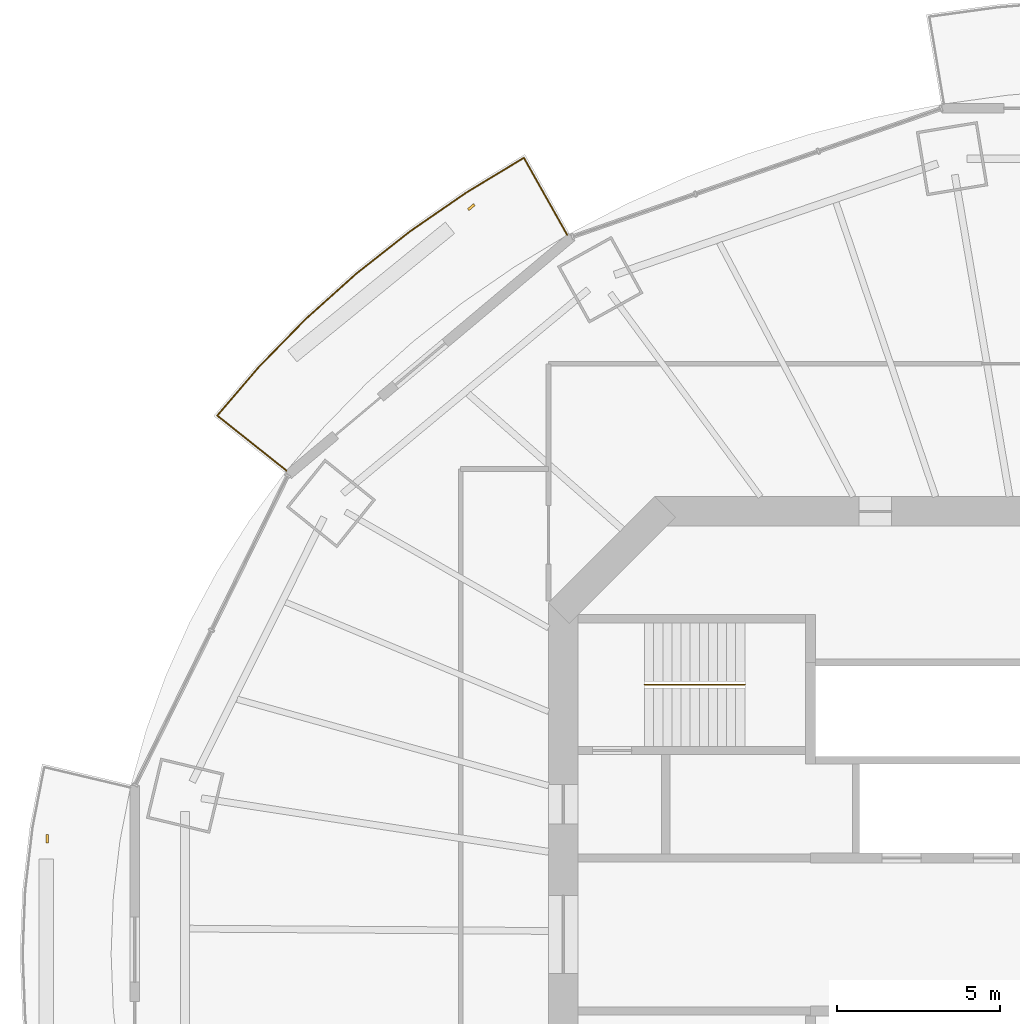
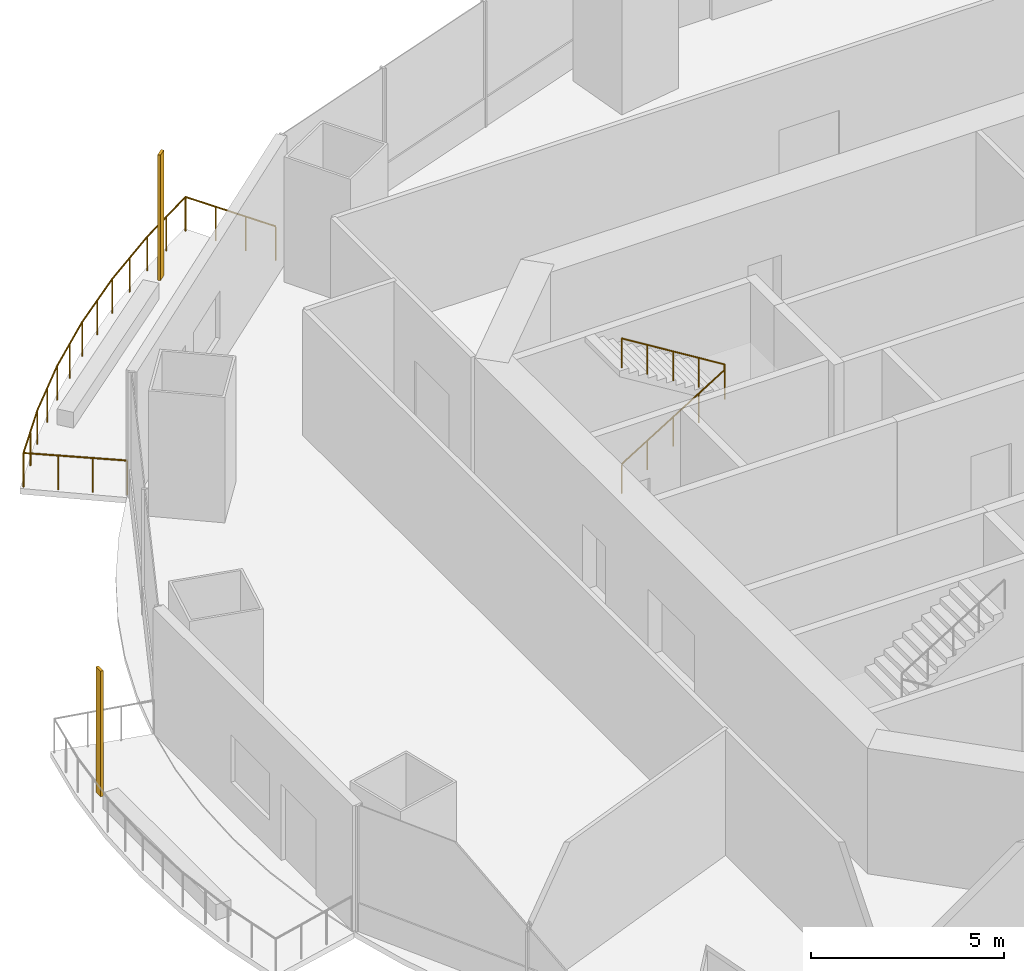
# One storey, part 18 of 21: 2 railings, 2 shading devices.
"""IFC4 building model written with IfcOpenShell, lengths in metres."""

from ifc_helpers import new_model, si_unit, direction, frame, origin, origin_2d, place, context, subcontext, project, spatial, rectangle, circle, extrude, material, material_profile, profile_set, type_object, element, save


model = new_model("IFC4")

# Units and contexts
model_context = context("Model", 3, precision=1e-05, world=origin(), true_north=direction((0.0, 1.0)))
body_context = subcontext(model_context, "Body", "Model", "MODEL_VIEW")
ifc_project = project(units=[si_unit("LENGTHUNIT", "METRE"), si_unit("AREAUNIT", "SQUARE_METRE"), si_unit("VOLUMEUNIT", "CUBIC_METRE"), si_unit("PLANEANGLEUNIT", "RADIAN"), si_unit("MASSUNIT", "GRAM", prefix="KILO")], contexts=[model_context])

# Site, building, storey
site_placement = place(None, origin())
site = spatial("IfcSite", under=ifc_project, at=site_placement, CompositionType="ELEMENT")
building_placement = place(site_placement, origin())
building = spatial("IfcBuilding", under=site, at=building_placement, Name="Marenthal Gate Tower", CompositionType="ELEMENT")
storey_placement = place(building_placement, frame((0.0, 0.0, 202.550048828125)))
storey = spatial("IfcBuildingStorey", under=building, at=storey_placement, Name="L44", CompositionType="ELEMENT", Elevation=202.550048828125)

# Railings
ifc_material_1 = material(Name="Stainless steel", Category="steel")
railing_type_1 = type_object("IfcRailingType", Name="Balcony guard 1100", PredefinedType="GUARDRAIL", material=ifc_material_1)
railing_1_placement = place(storey_placement, frame((-24.5009765625, 14.2490234375, 0.0)))
element("IfcRailing", 1, at=railing_1_placement, inside=storey, type_object=railing_type_1, Name="Balcony guard L44 bay 6", PredefinedType="GUARDRAIL", context=body_context, shape_type="SweptSolid", body=[
    extrude(circle(Radius=0.02392578125, at=origin_2d()), frame((0.0, 0.0, 1.076171875), z_axis=(-0.782732861269, 0.622183779773, -0.01471774699), x_axis=(-0.622251176983, -0.782817649739, 0.0)), (0.0, 0.0, 1.0), 2.720458984375),
    extrude(circle(Radius=0.02392578125, at=origin_2d()), frame((-2.12939453125, 1.692626953125, 1.0361328125), z_axis=(0.650106163754, 0.759843389028, 0.0), x_axis=(-0.759843389028, 0.650106163754, 0.0)), (0.0, 0.0, 1.0), 1.966796875),
    extrude(circle(Radius=0.02392578125, at=origin_2d()), frame((-0.850830078125, 3.18701171875, 1.0361328125), z_axis=(0.698897192243, 0.715222143585, 0.0), x_axis=(-0.715222143585, 0.698897192243, 0.0)), (0.0, 0.0, 1.0), 2.063720703125),
    extrude(circle(Radius=0.02392578125, at=origin_2d()), frame((0.591552734375, 4.6630859375, 1.0361328125), z_axis=(0.744476957646, 0.667648155494, 0.0), x_axis=(-0.667648155494, 0.744476957646, 0.0)), (0.0, 0.0, 1.0), 2.081298828125),
    extrude(circle(Radius=0.02392578125, at=origin_2d()), frame((2.14111328125, 6.052734375, 1.0361328125), z_axis=(0.785971142181, 0.618263183166, 0.0), x_axis=(-0.618263183166, 0.785971142181, 0.0)), (0.0, 0.0, 1.0), 2.09912109375),
    extrude(circle(Radius=0.02392578125, at=origin_2d()), frame((3.791015625, 7.3505859375, 1.0361328125), z_axis=(0.823307575665, 0.56759548611, 0.0), x_axis=(-0.56759548611, 0.823307575665, 0.0)), (0.0, 0.0, 1.0), 2.11669921875),
    extrude(circle(Radius=0.02392578125, at=origin_2d()), frame((5.53369140625, 8.552001953125, 1.0361328125), z_axis=(0.856221203989, 0.516609378389, 0.0), x_axis=(-0.516609378389, 0.856221203989, 0.0)), (0.0, 0.0, 1.0), 2.053955078125),
    extrude(circle(Radius=0.02392578125, at=origin_2d()), frame((7.292236328125, 9.613037109375, 1.0361328125), z_axis=(0.489585880475, -0.871830841967, 0.014718988891), x_axis=(0.871925297796, 0.48963892315, 0.0)), (0.0, 0.0, 1.0), 2.72021484375),
    extrude(circle(Radius=0.02099609375, at=origin_2d()), origin(), (0.0, 0.0, 1.0), 1.052001953125),
    extrude(circle(Radius=0.02099609375, at=origin_2d()), frame((-0.709716796875, 0.564208984375, -0.013427734375)), (0.0, 0.0, 1.0), 1.052001953125),
    extrude(circle(Radius=0.02099609375, at=origin_2d()), frame((-1.419677734375, 1.12841796875, -0.026611328125)), (0.0, 0.0, 1.0), 1.052001953125),
    extrude(circle(Radius=0.02099609375, at=origin_2d()), frame((-2.12939453125, 1.692626953125, -0.0400390625)), (0.0, 0.0, 1.0), 1.052001953125),
    extrude(circle(Radius=0.02099609375, at=origin_2d()), frame((-1.490234375, 2.43994140625, -0.0400390625)), (0.0, 0.0, 1.0), 1.052001953125),
    extrude(circle(Radius=0.02099609375, at=origin_2d()), frame((-0.850830078125, 3.18701171875, -0.0400390625)), (0.0, 0.0, 1.0), 1.052001953125),
    extrude(circle(Radius=0.02099609375, at=origin_2d()), frame((-0.129638671875, 3.925048828125, -0.0400390625)), (0.0, 0.0, 1.0), 1.052001953125),
    extrude(circle(Radius=0.02099609375, at=origin_2d()), frame((0.591552734375, 4.6630859375, -0.0400390625)), (0.0, 0.0, 1.0), 1.052001953125),
    extrude(circle(Radius=0.02099609375, at=origin_2d()), frame((1.3662109375, 5.35791015625, -0.0400390625)), (0.0, 0.0, 1.0), 1.052001953125),
    extrude(circle(Radius=0.02099609375, at=origin_2d()), frame((2.14111328125, 6.052734375, -0.0400390625)), (0.0, 0.0, 1.0), 1.052001953125),
    extrude(circle(Radius=0.02099609375, at=origin_2d()), frame((2.966064453125, 6.70166015625, -0.0400390625)), (0.0, 0.0, 1.0), 1.052001953125),
    extrude(circle(Radius=0.02099609375, at=origin_2d()), frame((3.791015625, 7.3505859375, -0.0400390625)), (0.0, 0.0, 1.0), 1.052001953125),
    extrude(circle(Radius=0.02099609375, at=origin_2d()), frame((4.662353515625, 7.951171875, -0.0400390625)), (0.0, 0.0, 1.0), 1.052001953125),
    extrude(circle(Radius=0.02099609375, at=origin_2d()), frame((5.53369140625, 8.552001953125, -0.0400390625)), (0.0, 0.0, 1.0), 1.052001953125),
    extrude(circle(Radius=0.02099609375, at=origin_2d()), frame((6.4130859375, 9.08251953125, -0.0400390625)), (0.0, 0.0, 1.0), 1.052001953125),
    extrude(circle(Radius=0.02099609375, at=origin_2d()), frame((7.292236328125, 9.613037109375, -0.0400390625)), (0.0, 0.0, 1.0), 1.052001953125),
    extrude(circle(Radius=0.02099609375, at=origin_2d()), frame((7.736083984375, 8.822509765625, -0.026611328125)), (0.0, 0.0, 1.0), 1.052001953125),
    extrude(circle(Radius=0.02099609375, at=origin_2d()), frame((8.18017578125, 8.031982421875, -0.013427734375)), (0.0, 0.0, 1.0), 1.052001953125),
    extrude(circle(Radius=0.02099609375, at=origin_2d()), frame((8.6240234375, 7.241455078125, 0.0)), (0.0, 0.0, 1.0), 1.052001953125),
])
ifc_material_2 = material(Name="Stainless steel", Category="steel")
railing_type_2 = type_object("IfcRailingType", Name="Stair handrail", PredefinedType="HANDRAIL", material=ifc_material_2)
railing_2_placement = place(storey_placement, frame((-13.5, 7.675048828125, 0.1728515625)))
element("IfcRailing", 2, at=railing_2_placement, inside=storey, type_object=railing_type_2, Name="Handrail ST1", PredefinedType="HANDRAIL", context=body_context, shape_type="SweptSolid", body=[
    extrude(circle(Radius=0.0224609375, at=origin_2d()), frame((0.0, 0.0, 0.927490234375), z_axis=(0.850835241893, 0.0, 0.525432575268), x_axis=(0.0, 1.0, 0.0)), (0.0, 0.0, 1.0), 3.6201171875),
    extrude(circle(Radius=0.0224609375, at=origin_2d()), frame((3.080078125, 0.0, 2.82958984375), z_axis=(0.0, 0.0, 1.0), x_axis=(1.0, 0.0, 0.0)), (0.0, 0.0, 1.0), 0.1728515625),
    extrude(circle(Radius=0.0224609375, at=origin_2d()), frame((3.080078125, 0.0, 3.00244140625), z_axis=(-0.850835241893, 0.0, 0.525432575268), x_axis=(0.0, -1.0, 0.0)), (0.0, 0.0, 1.0), 3.6201171875),
    extrude(circle(Radius=0.02001953125, at=origin_2d()), origin(), (0.0, 0.0, 1.0), 0.905029296875),
    extrude(circle(Radius=0.02001953125, at=origin_2d()), frame((0.77001953125, 0.0, 0.4755859375)), (0.0, 0.0, 1.0), 0.905029296875),
    extrude(circle(Radius=0.02001953125, at=origin_2d()), frame((1.5400390625, 0.0, 0.951171875)), (0.0, 0.0, 1.0), 0.905029296875),
    extrude(circle(Radius=0.02001953125, at=origin_2d()), frame((2.31005859375, 0.0, 1.426513671875)), (0.0, 0.0, 1.0), 0.905029296875),
    extrude(circle(Radius=0.02001953125, at=origin_2d()), frame((3.080078125, 0.0, 1.902099609375)), (0.0, 0.0, 1.0), 0.905029296875),
    extrude(circle(Radius=0.02001953125, at=origin_2d()), frame((3.080078125, 0.0, 2.074951171875)), (0.0, 0.0, 1.0), 0.905029296875),
    extrude(circle(Radius=0.02001953125, at=origin_2d()), frame((2.31005859375, 0.0, 2.550537109375)), (0.0, 0.0, 1.0), 0.905029296875),
    extrude(circle(Radius=0.02001953125, at=origin_2d()), frame((1.5400390625, 0.0, 3.02587890625)), (0.0, 0.0, 1.0), 0.905029296875),
    extrude(circle(Radius=0.02001953125, at=origin_2d()), frame((0.77001953125, 0.0, 3.50146484375)), (0.0, 0.0, 1.0), 0.905029296875),
    extrude(circle(Radius=0.02001953125, at=origin_2d()), frame((0.0, 0.0, 3.97705078125)), (0.0, 0.0, 1.0), 0.905029296875),
])

# Shading devices
ifc_material_3 = material(Name="Terracotta", Category="masonry")
ifc_material_profile = material_profile(ifc_material_3, rectangle(XDim=0.25, YDim=0.080078125, at=origin_2d()), Name="Terracotta baguette 250x80")
ifc_profile_set = profile_set([ifc_material_profile], Name="Terracotta")
shading_device_type = type_object("IfcShadingDeviceType", Name="Terracotta BAGUETTE SCREEN 250x80", PredefinedType="USERDEFINED", material=ifc_profile_set)
for number, where, z_axis, x_axis, name in (
    (3, (-18.82421875, 22.34619140625, -0.0400390625), (0.0, 0.0, 1.0), (-0.765704864788, -0.643192086425, 0.0), "Terracotta BAGUETTE L44 bay 6L"),
    (4, (-31.860107421875, 2.937744140625, -0.0400390625), (0.0, 0.0, 1.0), (0.0, -1.0, 0.0), "Terracotta BAGUETTE L44 bay 8L"),
):
    element("IfcShadingDevice", number, at=place(storey_placement, frame(where, z_axis=z_axis, x_axis=x_axis)), inside=storey, type_object=shading_device_type, Name=name, ObjectType="BAGUETTE SCREEN", PredefinedType="USERDEFINED", context=body_context, shape_type="SweptSolid", body=[
        extrude(rectangle(XDim=0.25, YDim=0.080078125, at=origin_2d()), origin(), (0.0, 0.0, 1.0), 3.969970703125),
    ])

save(model, "model.ifc")
